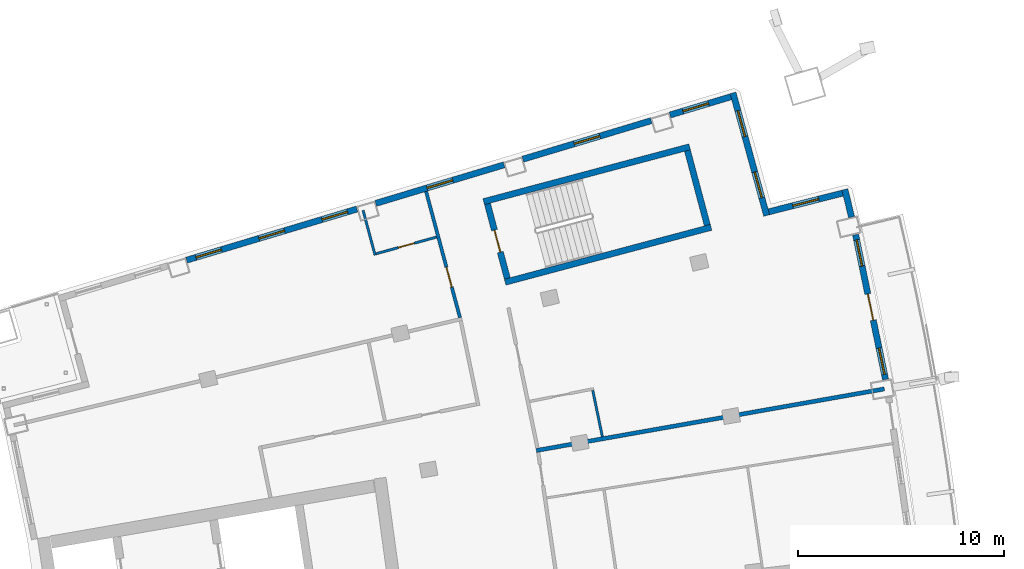
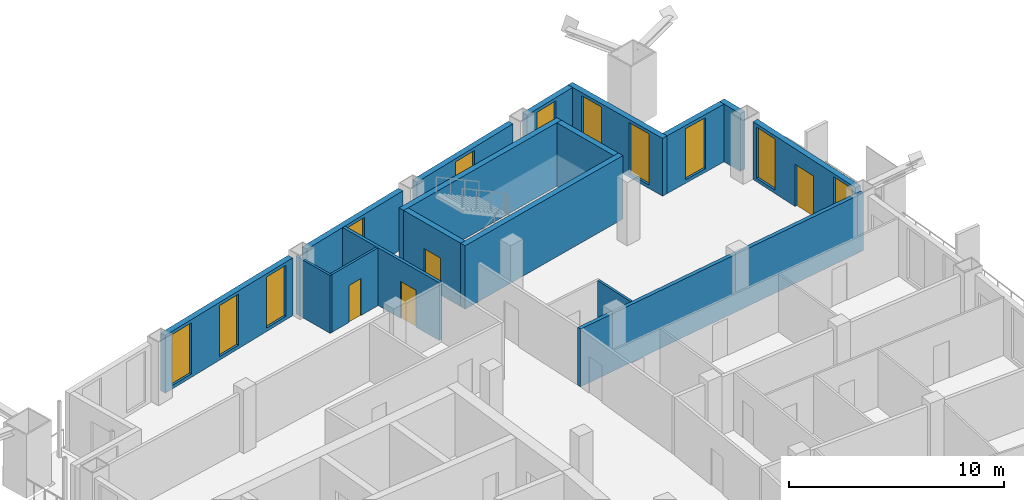
# One storey, part 15 of 21: 17 walls, 11 windows, 4 doors, 15 openings.
"""IFC4 building model written with IfcOpenShell, lengths in metres."""

from ifc_helpers import new_model, si_unit, direction, frame, frame_2d, origin, place, context, subcontext, project, spatial, rectangle, extrude, material, layer, layer_set, type_object, element, fill, save


model = new_model("IFC4")

# Units and contexts
model_context = context("Model", 3, precision=1e-05, world=origin(), true_north=direction((0.0, 1.0)))
body_context = subcontext(model_context, "Body", "Model", "MODEL_VIEW")
ifc_project = project(units=[si_unit("LENGTHUNIT", "METRE"), si_unit("AREAUNIT", "SQUARE_METRE"), si_unit("VOLUMEUNIT", "CUBIC_METRE"), si_unit("PLANEANGLEUNIT", "RADIAN"), si_unit("MASSUNIT", "GRAM", prefix="KILO")], contexts=[model_context])

# Site, building, storey
site_placement = place(None, origin())
site = spatial("IfcSite", under=ifc_project, at=site_placement, CompositionType="ELEMENT")
building_placement = place(site_placement, origin())
building = spatial("IfcBuilding", under=site, at=building_placement, Name="Alderwake Tower", CompositionType="ELEMENT")
storey_placement = place(building_placement, frame((0.0, 0.0, 207.199951171875)))
storey = spatial("IfcBuildingStorey", under=building, at=storey_placement, Name="L51", CompositionType="ELEMENT", Elevation=207.199951171875)

# Walls
ifc_material_1 = material(Name="Concrete C70/85", Category="concrete")
ifc_layer_1 = layer(ifc_material_1, 0.300048828125)
ifc_layer_set_1 = layer_set([ifc_layer_1], Name="Core wall stair enclosure 300 C70-85")
wall_type_1 = type_object("IfcWallType", Name="Core wall stair enclosure 300 C70-85", PredefinedType="SHEAR", material=ifc_layer_set_1)
for number, where, z_axis, x_axis, name in (
    (1, (36.71142578125, 94.182373046875, 0.0), (0.0, 0.0, 1.0), (0.966309214305, 0.257383958996, 0.0), "Core wall CW.082"),
    (2, (37.75390625, 90.268798828125, 0.0), (0.0, 0.0, 1.0), (0.966309214305, 0.257383958996, 0.0), "Core wall CW.084"),
):
    element("IfcWall", number, at=place(storey_placement, frame(where, z_axis=z_axis, x_axis=x_axis)), inside=storey, type_object=wall_type_1, Name=name, PredefinedType="SHEAR", context=body_context, shape_type="SweptSolid", body=[
        extrude(rectangle(XDim=10.360107421875, YDim=0.300048828125, at=frame_2d((5.18017578125, 0.0))), origin(), (0.0, 0.0, 1.0), 3.60009765625),
    ])

# Wall, opening, door
wall_1_placement = place(storey_placement, frame((37.8603515625, 90.452392578125, 0.0), z_axis=(0.0, 0.0, 1.0), x_axis=(-0.257411420208, 0.966301899381, 0.0)))
wall_1 = element("IfcWall", 3, at=wall_1_placement, inside=storey, type_object=wall_type_1, Name="Core wall CW.083", PredefinedType="SHEAR", context=body_context, shape_type="SweptSolid", body=[
    extrude(rectangle(XDim=3.750244140625, YDim=0.300048828125, at=frame_2d((1.875, 0.0))), origin(), (0.0, 0.0, 1.0), 3.60009765625),
])
opening_1_placement = place(wall_1_placement, frame((1.324951171875, 0.0, 0.0)))
opening_1 = element("IfcOpeningElement", 4, at=opening_1_placement, cuts=wall_1, Name="Opening C062", PredefinedType="OPENING", context=body_context, shape_type="SweptSolid", body=[
    extrude(rectangle(XDim=1.10009765625, YDim=2.10009765625, at=frame_2d((0.550048828125, 1.050048828125))), frame((0.0, 0.159912109375, 0.0), z_axis=(0.0, -1.0, 0.0), x_axis=(1.0, 0.0, 0.0)), (0.0, 0.0, 1.0), 0.320068359375),
])
ifc_material_2 = material(Name="Steel-framed fire door leaf", Category="steel")
door_type_1 = type_object("IfcDoorType", Name="Core stair door 1100 fire-rated", OperationType="SINGLE_SWING_LEFT", PredefinedType="DOOR", material=ifc_material_2)
door_1_placement = place(opening_1_placement, origin())
door_1 = element("IfcDoor", 5, at=door_1_placement, inside=storey, type_object=door_type_1, Name="Stair door", OperationType="SINGLE_SWING_RIGHT", OverallHeight=2.10009765625, OverallWidth=1.10009765625, PredefinedType="DOOR", context=body_context, shape_type="SweptSolid", body=[
    extrude(rectangle(XDim=1.10009765625, YDim=2.10009765625, at=frame_2d((0.550048828125, 1.050048828125))), frame((0.0, 0.02490234375, 0.0), z_axis=(0.0, -1.0, 0.0), x_axis=(1.0, 0.0, 0.0)), (0.0, 0.0, 1.0), 0.050048828125),
])
fill(opening_1, door_1)

# Wall
wall_2_placement = place(storey_placement, frame((47.581298828125, 93.041748046875, 0.0), z_axis=(0.0, 0.0, 1.0), x_axis=(-0.257366821694, 0.966313778796, 0.0)))
element("IfcWall", 6, at=wall_2_placement, inside=storey, type_object=wall_type_1, Name="Core wall CW.081", PredefinedType="SHEAR", context=body_context, shape_type="SweptSolid", body=[
    extrude(rectangle(XDim=3.749755859375, YDim=0.300048828125, at=frame_2d((1.875, 0.0))), origin(), (0.0, 0.0, 1.0), 3.60009765625),
])

# Wall, opening, door
ifc_material_3 = material(Name="Gypsum board on metal studs, rated")
ifc_layer_2 = layer(ifc_material_3, 0.159912109375)
ifc_layer_set_2 = layer_set([ifc_layer_2], Name="Corridor wall 160")
wall_type_2 = type_object("IfcWallType", Name="Corridor wall 160", PredefinedType="PARTITIONING", material=ifc_layer_set_2)
wall_3_placement = place(storey_placement, frame((35.55908203125, 88.54736328125, 0.0), z_axis=(0.0, 0.0, 1.0), x_axis=(-0.259486497004, 0.965746735885, 0.0)))
wall_3 = element("IfcWall", 7, at=wall_3_placement, inside=storey, type_object=wall_type_2, Name="WL/L51/W15", PredefinedType="PARTITIONING", context=body_context, shape_type="SweptSolid", body=[
    extrude(rectangle(XDim=6.346923828125, YDim=0.159912109375, at=frame_2d((3.17333984375, 0.0))), origin(), (0.0, 0.0, 1.0), 3.280029296875),
])
opening_2_placement = place(wall_3_placement, frame((1.5380859375, 0.0, 0.0)))
opening_2 = element("IfcOpeningElement", 8, at=opening_2_placement, cuts=wall_3, Name="Opening R14-U10.1", PredefinedType="OPENING", context=body_context, shape_type="SweptSolid", body=[
    extrude(rectangle(XDim=1.0, YDim=2.10009765625, at=frame_2d((0.5, 1.050048828125))), frame((0.0, 0.08984375, 0.0), z_axis=(0.0, -1.0, 0.0), x_axis=(1.0, 0.0, 0.0)), (0.0, 0.0, 1.0), 0.179931640625),
])
ifc_material_4 = material(Name="Solid timber leaf in steel frame", Category="steel")
door_type_2 = type_object("IfcDoorType", Name="Flat entrance door 1000 fire-rated", OperationType="SINGLE_SWING_LEFT", PredefinedType="DOOR", material=ifc_material_4)
door_2_placement = place(opening_2_placement, origin())
door_2 = element("IfcDoor", 9, at=door_2_placement, inside=storey, type_object=door_type_2, Name="DR/L51/U10.1", OperationType="SINGLE_SWING_LEFT", OverallHeight=2.10009765625, OverallWidth=1.0, PredefinedType="DOOR", context=body_context, shape_type="SweptSolid", body=[
    extrude(rectangle(XDim=1.0, YDim=2.10009765625, at=frame_2d((0.5, 1.050048828125))), frame((0.0, 0.02490234375, 0.0), z_axis=(0.0, -1.0, 0.0), x_axis=(1.0, 0.0, 0.0)), (0.0, 0.0, 1.0), 0.050048828125),
])
fill(opening_2, door_2)

# Wall, openings, door, windows
ifc_material_5 = material(Name="Precast concrete C50/60 spandrel panel", Category="concrete")
ifc_layer_3 = layer(ifc_material_5, 0.300048828125)
ifc_layer_set_3 = layer_set([ifc_layer_3], Name="External wall EW1 Precast concrete C50/60 spandrel")
wall_type_3 = type_object("IfcWallType", Name="External wall EW1 Precast concrete C50/60 spandrel", PredefinedType="SOLIDWALL", material=ifc_layer_set_3)
wall_4_placement = place(storey_placement, frame((56.24462890625, 85.543212890625, 0.0), z_axis=(0.0, 0.0, 1.0), x_axis=(-0.202741640608, 0.979232264156, 0.0)))
wall_4 = element("IfcWall", 10, at=wall_4_placement, inside=storey, type_object=wall_type_3, Name="External wall 19", PredefinedType="SOLIDWALL", context=body_context, shape_type="SweptSolid", body=[
    extrude(rectangle(XDim=7.1806640625, YDim=0.300048828125, at=frame_2d((3.59033203125, 0.0))), origin(), (0.0, 0.0, 1.0), 3.280029296875),
])
opening_3_placement = place(wall_4_placement, frame((0.25341796875, 0.0, 0.199951171875)))
opening_3 = element("IfcOpeningElement", 11, at=opening_3_placement, cuts=wall_4, Name="Opening W1", PredefinedType="OPENING", context=body_context, shape_type="SweptSolid", body=[
    extrude(rectangle(XDim=1.300048828125, YDim=2.89990234375, at=frame_2d((0.64990234375, 1.449951171875))), frame((0.0, 0.159912109375, 0.0), z_axis=(0.0, -1.0, 0.0), x_axis=(1.0, 0.0, 0.0)), (0.0, 0.0, 1.0), 0.320068359375),
])
opening_4_placement = place(wall_4_placement, frame((2.940185546875, 0.0, 0.0)))
opening_4 = element("IfcOpeningElement", 12, at=opening_4_placement, cuts=wall_4, Name="Opening D09", PredefinedType="OPENING", context=body_context, shape_type="SweptSolid", body=[
    extrude(rectangle(XDim=1.300048828125, YDim=2.39990234375, at=frame_2d((0.64990234375, 1.199951171875))), frame((0.0, 0.159912109375, 0.0), z_axis=(0.0, -1.0, 0.0), x_axis=(1.0, 0.0, 0.0)), (0.0, 0.0, 1.0), 0.320068359375),
])
opening_5_placement = place(wall_4_placement, frame((5.627197265625, 0.0, 0.199951171875)))
opening_5 = element("IfcOpeningElement", 13, at=opening_5_placement, cuts=wall_4, Name="Opening W1", PredefinedType="OPENING", context=body_context, shape_type="SweptSolid", body=[
    extrude(rectangle(XDim=1.300048828125, YDim=2.89990234375, at=frame_2d((0.64990234375, 1.449951171875))), frame((0.0, 0.159912109375, 0.0), z_axis=(0.0, -1.0, 0.0), x_axis=(1.0, 0.0, 0.0)), (0.0, 0.0, 1.0), 0.320068359375),
])
ifc_material_6 = material(Name="Bronze tinted glass in aluminium frame", Category="aluminium")
door_type_3 = type_object("IfcDoorType", Name="Balcony door BD sliding", OperationType="SLIDING_TO_LEFT", PredefinedType="DOOR", material=ifc_material_6)
door_3_placement = place(opening_4_placement, origin())
door_3 = element("IfcDoor", 14, at=door_3_placement, inside=storey, type_object=door_type_3, Name="Door D09", OperationType="SLIDING_TO_LEFT", OverallHeight=2.39990234375, OverallWidth=1.300048828125, PredefinedType="DOOR", context=body_context, shape_type="SweptSolid", body=[
    extrude(rectangle(XDim=1.300048828125, YDim=2.39990234375, at=frame_2d((0.64990234375, 1.199951171875))), frame((0.0, 0.02490234375, 0.0), z_axis=(0.0, -1.0, 0.0), x_axis=(1.0, 0.0, 0.0)), (0.0, 0.0, 1.0), 0.050048828125),
])
fill(opening_4, door_3)
ifc_material_7 = material(Name="Bronze tinted glass in aluminium frame", Category="aluminium")
window_type = type_object("IfcWindowType", Name="Window W1 tall fixed and vent", PartitioningType="DOUBLE_PANEL_VERTICAL", PredefinedType="WINDOW", material=ifc_material_7)
window_1_placement = place(opening_3_placement, origin())
window_1 = element("IfcWindow", 15, at=window_1_placement, inside=storey, type_object=window_type, Name="Window W1 tall fixed and vent", OverallHeight=2.89990234375, OverallWidth=1.300048828125, PartitioningType="DOUBLE_PANEL_VERTICAL", PredefinedType="WINDOW", context=body_context, shape_type="SweptSolid", body=[
    extrude(rectangle(XDim=1.300048828125, YDim=2.89990234375, at=frame_2d((0.64990234375, 1.449951171875))), frame((0.0, 0.030029296875, 0.0), z_axis=(0.0, -1.0, 0.0), x_axis=(1.0, 0.0, 0.0)), (0.0, 0.0, 1.0), 0.06005859375),
])
fill(opening_3, window_1)
window_2_placement = place(opening_5_placement, origin())
window_2 = element("IfcWindow", 16, at=window_2_placement, inside=storey, type_object=window_type, Name="Window W1 tall fixed and vent", OverallHeight=2.89990234375, OverallWidth=1.300048828125, PartitioningType="DOUBLE_PANEL_VERTICAL", PredefinedType="WINDOW", context=body_context, shape_type="SweptSolid", body=[
    extrude(rectangle(XDim=1.300048828125, YDim=2.89990234375, at=frame_2d((0.64990234375, 1.449951171875))), frame((0.0, 0.030029296875, 0.0), z_axis=(0.0, -1.0, 0.0), x_axis=(1.0, 0.0, 0.0)), (0.0, 0.0, 1.0), 0.06005859375),
])
fill(opening_5, window_2)

# Wall
wall_5_placement = place(storey_placement, frame((54.595458984375, 93.430908203125, 0.0), z_axis=(0.0, 0.0, 1.0), x_axis=(-0.238271600543, 0.971198560736, 0.0)))
element("IfcWall", 17, at=wall_5_placement, inside=storey, type_object=wall_type_3, Name="External wall 20", PredefinedType="SOLIDWALL", context=body_context, shape_type="SweptSolid", body=[
    extrude(rectangle(XDim=1.388427734375, YDim=0.300048828125, at=frame_2d((0.6943359375, 0.0))), origin(), (0.0, 0.0, 1.0), 3.280029296875),
])

# Wall, opening, window
ifc_material_8 = material(Name="Bronze metal cladding on lightweight framing")
ifc_layer_4 = layer(ifc_material_8, 0.300048828125)
ifc_layer_set_4 = layer_set([ifc_layer_4], Name="External wall EW2 bronze metal cladding")
wall_type_4 = type_object("IfcWallType", Name="External wall EW2 bronze metal cladding", PredefinedType="SOLIDWALL", material=ifc_layer_set_4)
wall_6_placement = place(storey_placement, frame((54.155029296875, 94.5966796875, 0.0), z_axis=(0.0, 0.0, 1.0), x_axis=(-0.969426922046, -0.245380200529, 0.0)))
wall_6 = element("IfcWall", 18, at=wall_6_placement, inside=storey, type_object=wall_type_4, Name="External wall 21", PredefinedType="SOLIDWALL", context=body_context, shape_type="SweptSolid", body=[
    extrude(rectangle(XDim=3.6943359375, YDim=0.300048828125, at=frame_2d((1.84716796875, 0.0))), origin(), (0.0, 0.0, 1.0), 3.280029296875),
])
opening_6_placement = place(wall_6_placement, frame((1.197021484375, 0.0, 0.199951171875)))
opening_6 = element("IfcOpeningElement", 19, at=opening_6_placement, cuts=wall_6, Name="Opening W1", PredefinedType="OPENING", context=body_context, shape_type="SweptSolid", body=[
    extrude(rectangle(XDim=1.300048828125, YDim=2.89990234375, at=frame_2d((0.64990234375, 1.449951171875))), frame((0.0, 0.159912109375, 0.0), z_axis=(0.0, -1.0, 0.0), x_axis=(1.0, 0.0, 0.0)), (0.0, 0.0, 1.0), 0.320068359375),
])
window_3_placement = place(opening_6_placement, origin())
window_3 = element("IfcWindow", 20, at=window_3_placement, inside=storey, type_object=window_type, Name="Window W1 tall fixed and vent", OverallHeight=2.89990234375, OverallWidth=1.300048828125, PartitioningType="DOUBLE_PANEL_VERTICAL", PredefinedType="WINDOW", context=body_context, shape_type="SweptSolid", body=[
    extrude(rectangle(XDim=1.300048828125, YDim=2.89990234375, at=frame_2d((0.64990234375, 1.449951171875))), frame((0.0, 0.030029296875, 0.0), z_axis=(0.0, -1.0, 0.0), x_axis=(1.0, 0.0, 0.0)), (0.0, 0.0, 1.0), 0.06005859375),
])
fill(opening_6, window_3)

# Wall, openings, windows
wall_7_placement = place(storey_placement, frame((50.468017578125, 93.5087890625, 0.0), z_axis=(0.0, 0.0, 1.0), x_axis=(-0.265078459532, 0.964226845868, 0.0)))
wall_7 = element("IfcWall", 21, at=wall_7_placement, inside=storey, type_object=wall_type_4, Name="External wall 22", PredefinedType="SOLIDWALL", context=body_context, shape_type="SweptSolid", body=[
    extrude(rectangle(XDim=6.181884765625, YDim=0.300048828125, at=frame_2d((3.0908203125, 0.0))), origin(), (0.0, 0.0, 1.0), 3.280029296875),
])
opening_7_placement = place(wall_7_placement, frame((0.8955078125, 0.0, 0.199951171875)))
opening_7 = element("IfcOpeningElement", 22, at=opening_7_placement, cuts=wall_7, Name="Opening W1", PredefinedType="OPENING", context=body_context, shape_type="SweptSolid", body=[
    extrude(rectangle(XDim=1.300048828125, YDim=2.89990234375, at=frame_2d((0.64990234375, 1.449951171875))), frame((0.0, 0.159912109375, 0.0), z_axis=(0.0, -1.0, 0.0), x_axis=(1.0, 0.0, 0.0)), (0.0, 0.0, 1.0), 0.320068359375),
])
opening_8_placement = place(wall_7_placement, frame((3.986328125, 0.0, 0.199951171875)))
opening_8 = element("IfcOpeningElement", 23, at=opening_8_placement, cuts=wall_7, Name="Opening W1", PredefinedType="OPENING", context=body_context, shape_type="SweptSolid", body=[
    extrude(rectangle(XDim=1.300048828125, YDim=2.89990234375, at=frame_2d((0.64990234375, 1.449951171875))), frame((0.0, 0.159912109375, 0.0), z_axis=(0.0, -1.0, 0.0), x_axis=(1.0, 0.0, 0.0)), (0.0, 0.0, 1.0), 0.320068359375),
])
window_4_placement = place(opening_7_placement, origin())
window_4 = element("IfcWindow", 24, at=window_4_placement, inside=storey, type_object=window_type, Name="Window W1 tall fixed and vent", OverallHeight=2.89990234375, OverallWidth=1.300048828125, PartitioningType="DOUBLE_PANEL_VERTICAL", PredefinedType="WINDOW", context=body_context, shape_type="SweptSolid", body=[
    extrude(rectangle(XDim=1.300048828125, YDim=2.89990234375, at=frame_2d((0.64990234375, 1.449951171875))), frame((0.0, 0.030029296875, 0.0), z_axis=(0.0, -1.0, 0.0), x_axis=(1.0, 0.0, 0.0)), (0.0, 0.0, 1.0), 0.06005859375),
])
fill(opening_7, window_4)
window_5_placement = place(opening_8_placement, origin())
window_5 = element("IfcWindow", 25, at=window_5_placement, inside=storey, type_object=window_type, Name="Window W1 tall fixed and vent", OverallHeight=2.89990234375, OverallWidth=1.300048828125, PartitioningType="DOUBLE_PANEL_VERTICAL", PredefinedType="WINDOW", context=body_context, shape_type="SweptSolid", body=[
    extrude(rectangle(XDim=1.300048828125, YDim=2.89990234375, at=frame_2d((0.64990234375, 1.449951171875))), frame((0.0, 0.030029296875, 0.0), z_axis=(0.0, -1.0, 0.0), x_axis=(1.0, 0.0, 0.0)), (0.0, 0.0, 1.0), 0.06005859375),
])
fill(opening_8, window_5)

# Wall, opening, window
wall_8_placement = place(storey_placement, frame((48.725341796875, 99.28173828125, 0.0), z_axis=(0.0, 0.0, 1.0), x_axis=(-0.957765334649, -0.287550975906, 0.0)))
wall_8 = element("IfcWall", 26, at=wall_8_placement, inside=storey, type_object=wall_type_4, Name="External wall 23", PredefinedType="SOLIDWALL", context=body_context, shape_type="SweptSolid", body=[
    extrude(rectangle(XDim=3.087890625, YDim=0.300048828125, at=frame_2d((1.5439453125, 0.0))), origin(), (0.0, 0.0, 1.0), 3.280029296875),
])
opening_9_placement = place(wall_8_placement, frame((1.13232421875, 0.0, 0.199951171875)))
opening_9 = element("IfcOpeningElement", 27, at=opening_9_placement, cuts=wall_8, Name="Opening W1", PredefinedType="OPENING", context=body_context, shape_type="SweptSolid", body=[
    extrude(rectangle(XDim=1.300048828125, YDim=2.89990234375, at=frame_2d((0.64990234375, 1.449951171875))), frame((0.0, 0.159912109375, 0.0), z_axis=(0.0, -1.0, 0.0), x_axis=(1.0, 0.0, 0.0)), (0.0, 0.0, 1.0), 0.320068359375),
])
window_6_placement = place(opening_9_placement, origin())
window_6 = element("IfcWindow", 28, at=window_6_placement, inside=storey, type_object=window_type, Name="Window W1 tall fixed and vent", OverallHeight=2.89990234375, OverallWidth=1.300048828125, PartitioningType="DOUBLE_PANEL_VERTICAL", PredefinedType="WINDOW", context=body_context, shape_type="SweptSolid", body=[
    extrude(rectangle(XDim=1.300048828125, YDim=2.89990234375, at=frame_2d((0.64990234375, 1.449951171875))), frame((0.0, 0.030029296875, 0.0), z_axis=(0.0, -1.0, 0.0), x_axis=(1.0, 0.0, 0.0)), (0.0, 0.0, 1.0), 0.06005859375),
])
fill(opening_9, window_6)

wall_9_placement = place(storey_placement, frame((44.8544921875, 98.119384765625, 0.0), z_axis=(0.0, 0.0, 1.0), x_axis=(-0.957764359699, -0.287554223219, 0.0)))
wall_9 = element("IfcWall", 29, at=wall_9_placement, inside=storey, type_object=wall_type_4, Name="External wall 24", PredefinedType="SOLIDWALL", context=body_context, shape_type="SweptSolid", body=[
    extrude(rectangle(XDim=6.512939453125, YDim=0.300048828125, at=frame_2d((3.25634765625, 0.0))), origin(), (0.0, 0.0, 1.0), 3.280029296875),
])
opening_10_placement = place(wall_9_placement, frame((2.606689453125, 0.0, 0.199951171875)))
opening_10 = element("IfcOpeningElement", 30, at=opening_10_placement, cuts=wall_9, Name="Opening W1", PredefinedType="OPENING", context=body_context, shape_type="SweptSolid", body=[
    extrude(rectangle(XDim=1.300048828125, YDim=2.89990234375, at=frame_2d((0.64990234375, 1.449951171875))), frame((0.0, 0.159912109375, 0.0), z_axis=(0.0, -1.0, 0.0), x_axis=(1.0, 0.0, 0.0)), (0.0, 0.0, 1.0), 0.320068359375),
])
window_7_placement = place(opening_10_placement, origin())
window_7 = element("IfcWindow", 31, at=window_7_placement, inside=storey, type_object=window_type, Name="Window W1 tall fixed and vent", OverallHeight=2.89990234375, OverallWidth=1.300048828125, PartitioningType="DOUBLE_PANEL_VERTICAL", PredefinedType="WINDOW", context=body_context, shape_type="SweptSolid", body=[
    extrude(rectangle(XDim=1.300048828125, YDim=2.89990234375, at=frame_2d((0.64990234375, 1.449951171875))), frame((0.0, 0.030029296875, 0.0), z_axis=(0.0, -1.0, 0.0), x_axis=(1.0, 0.0, 0.0)), (0.0, 0.0, 1.0), 0.06005859375),
])
fill(opening_10, window_7)

wall_10_placement = place(storey_placement, frame((37.703125, 95.972412109375, 0.0), z_axis=(0.0, 0.0, 1.0), x_axis=(-0.957767459143, -0.287543899616, 0.0)))
wall_10 = element("IfcWall", 32, at=wall_10_placement, inside=storey, type_object=wall_type_4, Name="External wall 25", PredefinedType="SOLIDWALL", context=body_context, shape_type="SweptSolid", body=[
    extrude(rectangle(XDim=6.51318359375, YDim=0.300048828125, at=frame_2d((3.256591796875, 0.0))), origin(), (0.0, 0.0, 1.0), 3.280029296875),
])
opening_11_placement = place(wall_10_placement, frame((2.606689453125, 0.0, 0.199951171875)))
opening_11 = element("IfcOpeningElement", 33, at=opening_11_placement, cuts=wall_10, Name="Opening W1", PredefinedType="OPENING", context=body_context, shape_type="SweptSolid", body=[
    extrude(rectangle(XDim=1.300048828125, YDim=2.89990234375, at=frame_2d((0.64990234375, 1.449951171875))), frame((0.0, 0.159912109375, 0.0), z_axis=(0.0, -1.0, 0.0), x_axis=(1.0, 0.0, 0.0)), (0.0, 0.0, 1.0), 0.320068359375),
])
window_8_placement = place(opening_11_placement, origin())
window_8 = element("IfcWindow", 34, at=window_8_placement, inside=storey, type_object=window_type, Name="Window W1 tall fixed and vent", OverallHeight=2.89990234375, OverallWidth=1.300048828125, PartitioningType="DOUBLE_PANEL_VERTICAL", PredefinedType="WINDOW", context=body_context, shape_type="SweptSolid", body=[
    extrude(rectangle(XDim=1.300048828125, YDim=2.89990234375, at=frame_2d((0.64990234375, 1.449951171875))), frame((0.0, 0.030029296875, 0.0), z_axis=(0.0, -1.0, 0.0), x_axis=(1.0, 0.0, 0.0)), (0.0, 0.0, 1.0), 0.06005859375),
])
fill(opening_11, window_8)

# Wall, openings, windows
wall_11_placement = place(storey_placement, frame((30.551513671875, 93.825439453125, 0.0), z_axis=(0.0, 0.0, 1.0), x_axis=(-0.957759421932, -0.287570669054, 0.0)))
wall_11 = element("IfcWall", 35, at=wall_11_placement, inside=storey, type_object=wall_type_4, Name="External wall 26", PredefinedType="SOLIDWALL", context=body_context, shape_type="SweptSolid", body=[
    extrude(rectangle(XDim=8.64599609375, YDim=0.300048828125, at=frame_2d((4.322998046875, 0.0))), origin(), (0.0, 0.0, 1.0), 3.280029296875),
])
opening_12_placement = place(wall_11_placement, frame((0.47314453125, 0.0, 0.199951171875)))
opening_12 = element("IfcOpeningElement", 36, at=opening_12_placement, cuts=wall_11, Name="Opening W1", PredefinedType="OPENING", context=body_context, shape_type="SweptSolid", body=[
    extrude(rectangle(XDim=1.300048828125, YDim=2.89990234375, at=frame_2d((0.64990234375, 1.449951171875))), frame((0.0, 0.159912109375, 0.0), z_axis=(0.0, -1.0, 0.0), x_axis=(1.0, 0.0, 0.0)), (0.0, 0.0, 1.0), 0.320068359375),
])
opening_13_placement = place(wall_11_placement, frame((3.673095703125, 0.0, 0.199951171875)))
opening_13 = element("IfcOpeningElement", 37, at=opening_13_placement, cuts=wall_11, Name="Opening W1", PredefinedType="OPENING", context=body_context, shape_type="SweptSolid", body=[
    extrude(rectangle(XDim=1.300048828125, YDim=2.89990234375, at=frame_2d((0.64990234375, 1.449951171875))), frame((0.0, 0.159912109375, 0.0), z_axis=(0.0, -1.0, 0.0), x_axis=(1.0, 0.0, 0.0)), (0.0, 0.0, 1.0), 0.320068359375),
])
opening_14_placement = place(wall_11_placement, frame((6.873291015625, 0.0, 0.199951171875)))
opening_14 = element("IfcOpeningElement", 38, at=opening_14_placement, cuts=wall_11, Name="Opening W1", PredefinedType="OPENING", context=body_context, shape_type="SweptSolid", body=[
    extrude(rectangle(XDim=1.300048828125, YDim=2.89990234375, at=frame_2d((0.64990234375, 1.449951171875))), frame((0.0, 0.159912109375, 0.0), z_axis=(0.0, -1.0, 0.0), x_axis=(1.0, 0.0, 0.0)), (0.0, 0.0, 1.0), 0.320068359375),
])
window_9_placement = place(opening_12_placement, origin())
window_9 = element("IfcWindow", 39, at=window_9_placement, inside=storey, type_object=window_type, Name="Window W1 tall fixed and vent", OverallHeight=2.89990234375, OverallWidth=1.300048828125, PartitioningType="DOUBLE_PANEL_VERTICAL", PredefinedType="WINDOW", context=body_context, shape_type="SweptSolid", body=[
    extrude(rectangle(XDim=1.300048828125, YDim=2.89990234375, at=frame_2d((0.64990234375, 1.449951171875))), frame((0.0, 0.030029296875, 0.0), z_axis=(0.0, -1.0, 0.0), x_axis=(1.0, 0.0, 0.0)), (0.0, 0.0, 1.0), 0.06005859375),
])
fill(opening_12, window_9)
window_10_placement = place(opening_13_placement, origin())
window_10 = element("IfcWindow", 40, at=window_10_placement, inside=storey, type_object=window_type, Name="Window W1 tall fixed and vent", OverallHeight=2.89990234375, OverallWidth=1.300048828125, PartitioningType="DOUBLE_PANEL_VERTICAL", PredefinedType="WINDOW", context=body_context, shape_type="SweptSolid", body=[
    extrude(rectangle(XDim=1.300048828125, YDim=2.89990234375, at=frame_2d((0.64990234375, 1.449951171875))), frame((0.0, 0.030029296875, 0.0), z_axis=(0.0, -1.0, 0.0), x_axis=(1.0, 0.0, 0.0)), (0.0, 0.0, 1.0), 0.06005859375),
])
fill(opening_13, window_10)
window_11_placement = place(opening_14_placement, origin())
window_11 = element("IfcWindow", 41, at=window_11_placement, inside=storey, type_object=window_type, Name="Window W1 tall fixed and vent", OverallHeight=2.89990234375, OverallWidth=1.300048828125, PartitioningType="DOUBLE_PANEL_VERTICAL", PredefinedType="WINDOW", context=body_context, shape_type="SweptSolid", body=[
    extrude(rectangle(XDim=1.300048828125, YDim=2.89990234375, at=frame_2d((0.64990234375, 1.449951171875))), frame((0.0, 0.030029296875, 0.0), z_axis=(0.0, -1.0, 0.0), x_axis=(1.0, 0.0, 0.0)), (0.0, 0.0, 1.0), 0.06005859375),
])
fill(opening_14, window_11)

# Walls
ifc_material_9 = material(Name="Dense block masonry wall", Category="masonry")
ifc_layer_5 = layer(ifc_material_9, 0.199951171875)
ifc_layer_set_5 = layer_set([ifc_layer_5], Name="Party wall 200")
wall_type_5 = type_object("IfcWallType", Name="Party wall 200", PredefinedType="SOLIDWALL", material=ifc_layer_set_5)
wall_12_placement = place(storey_placement, frame((56.18701171875, 85.080078125, 0.0), z_axis=(0.0, 0.0, 1.0), x_axis=(-0.984709365413, -0.174205240069, 0.0)))
element("IfcWall", 42, at=wall_12_placement, inside=storey, type_object=wall_type_5, Name="WL/L51/W02", PredefinedType="SOLIDWALL", context=body_context, shape_type="SweptSolid", body=[
    extrude(rectangle(XDim=17.180419921875, YDim=0.199951171875, at=frame_2d((8.59033203125, 0.0))), origin(), (0.0, 0.0, 1.0), 3.280029296875),
])
ifc_material_10 = material(Name="Moisture resistant gypsum board on metal studs")
ifc_layer_6 = layer(ifc_material_10, 0.1201171875)
ifc_layer_set_6 = layer_set([ifc_layer_6], Name="Wet room partition 120")
wall_type_6 = type_object("IfcWallType", Name="Wet room partition 120", PredefinedType="PARTITIONING", material=ifc_layer_set_6)
wall_13_placement = place(storey_placement, frame((30.84912109375, 93.759033203125, 0.0), z_axis=(0.0, 0.0, 1.0), x_axis=(0.259155613864, -0.965835580108, 0.0)))
element("IfcWall", 43, at=wall_13_placement, inside=storey, type_object=wall_type_6, Name="WL/L51/W28", PredefinedType="PARTITIONING", context=body_context, shape_type="SweptSolid", body=[
    extrude(rectangle(XDim=2.259033203125, YDim=0.1201171875, at=frame_2d((1.12939453125, 0.0))), origin(), (0.0, 0.0, 1.0), 3.280029296875),
])

# Wall, opening, door
wall_14_placement = place(storey_placement, frame((31.476806640625, 91.65087890625, 0.0), z_axis=(0.0, 0.0, 1.0), x_axis=(0.964118102321, 0.265473698843, 0.0)))
wall_14 = element("IfcWall", 44, at=wall_14_placement, inside=storey, type_object=wall_type_6, Name="WL/L51/W30", PredefinedType="PARTITIONING", context=body_context, shape_type="SweptSolid", body=[
    extrude(rectangle(XDim=3.058837890625, YDim=0.1201171875, at=frame_2d((1.529296875, 0.0))), origin(), (0.0, 0.0, 1.0), 3.280029296875),
])
opening_15_placement = place(wall_14_placement, frame((1.12939453125, 0.0, 0.0)))
opening_15 = element("IfcOpeningElement", 45, at=opening_15_placement, cuts=wall_14, Name="Opening R14-U10.2", PredefinedType="OPENING", context=body_context, shape_type="SweptSolid", body=[
    extrude(rectangle(XDim=0.800048828125, YDim=2.10009765625, at=frame_2d((0.39990234375, 1.050048828125))), frame((0.0, 0.070068359375, 0.0), z_axis=(0.0, -1.0, 0.0), x_axis=(1.0, 0.0, 0.0)), (0.0, 0.0, 1.0), 0.14013671875),
])
ifc_material_11 = material(Name="Painted timber leaf", Category="wood")
door_type_4 = type_object("IfcDoorType", Name="Bathroom door 800", OperationType="SINGLE_SWING_LEFT", PredefinedType="DOOR", material=ifc_material_11)
door_4_placement = place(opening_15_placement, origin())
door_4 = element("IfcDoor", 46, at=door_4_placement, inside=storey, type_object=door_type_4, Name="DR/L51/U10.2", OperationType="SINGLE_SWING_LEFT", OverallHeight=2.10009765625, OverallWidth=0.800048828125, PredefinedType="DOOR", context=body_context, shape_type="SweptSolid", body=[
    extrude(rectangle(XDim=0.800048828125, YDim=2.10009765625, at=frame_2d((0.39990234375, 1.050048828125))), frame((0.0, 0.02490234375, 0.0), z_axis=(0.0, -1.0, 0.0), x_axis=(1.0, 0.0, 0.0)), (0.0, 0.0, 1.0), 0.050048828125),
])
fill(opening_15, door_4)

# Wall
wall_15_placement = place(storey_placement, frame((42.480712890625, 82.757080078125, 0.0), z_axis=(0.0, 0.0, 1.0), x_axis=(-0.203155177508, 0.979146553817, 0.0)))
element("IfcWall", 47, at=wall_15_placement, inside=storey, type_object=wall_type_6, Name="WL/L51/W34", PredefinedType="PARTITIONING", context=body_context, shape_type="SweptSolid", body=[
    extrude(rectangle(XDim=2.30615234375, YDim=0.1201171875, at=frame_2d((1.153076171875, 0.0))), origin(), (0.0, 0.0, 1.0), 3.280029296875),
])

save(model, "model.ifc")
